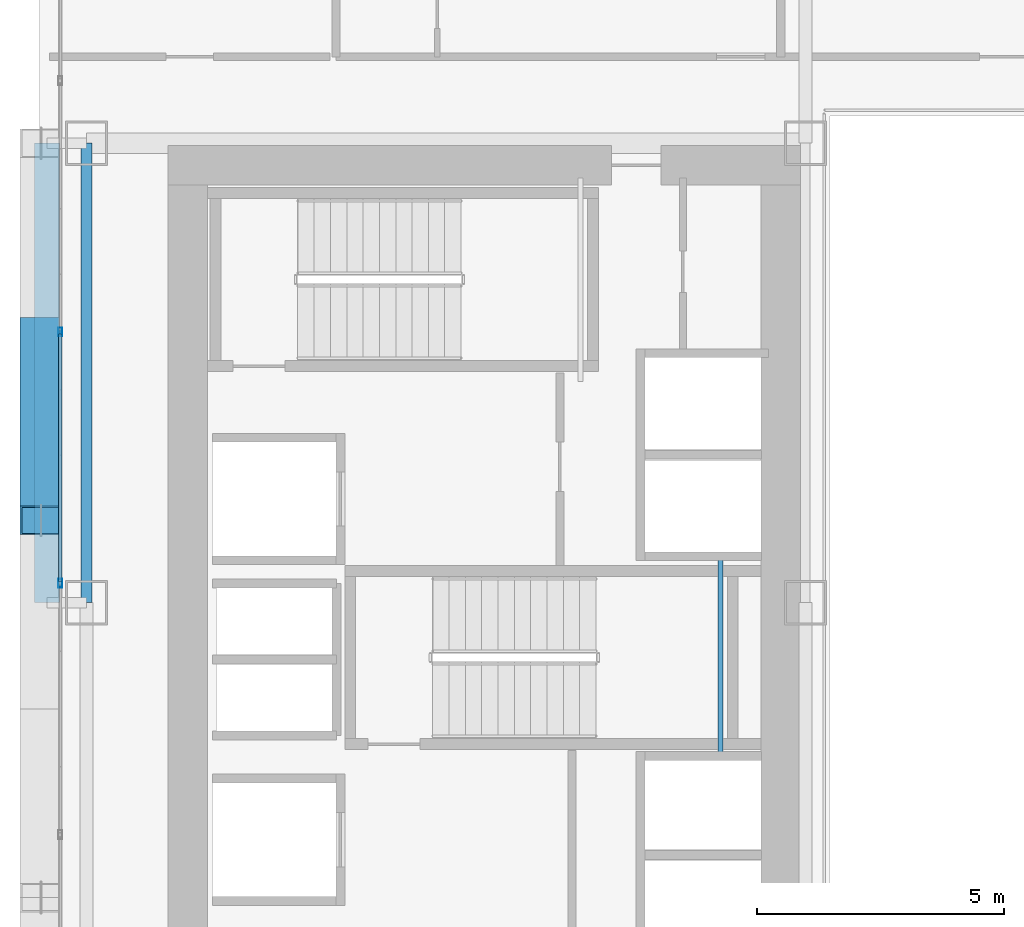
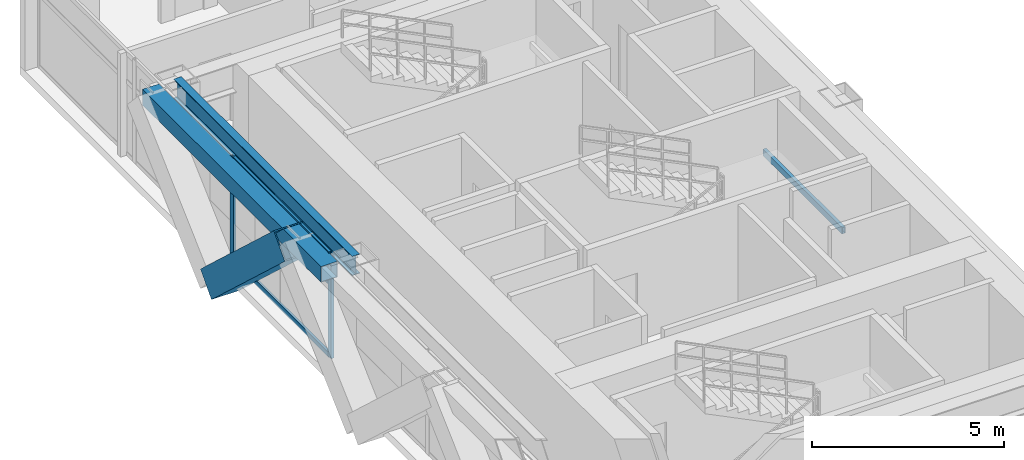
# One storey, part 8 of 35: 6 members, 3 beams, 1 element without a shape of its own.
"""IFC4 building model written with IfcOpenShell, lengths in metres."""

from ifc_helpers import new_model, si_unit, direction, frame, origin, origin_2d, place, context, subcontext, project, spatial, hollow_rectangle, i_section, extrude, source, transform, mapped, material, layer, layer_set, material_profile, profile_set, type_object, element, aggregate, save


model = new_model("IFC4")

# Units and contexts
model_context = context("Model", 3, precision=1e-05, world=origin(), true_north=direction((0.0, 1.0)))
body_context = subcontext(model_context, "Body", "Model", "MODEL_VIEW")
ifc_project = project(units=[si_unit("LENGTHUNIT", "METRE"), si_unit("AREAUNIT", "SQUARE_METRE"), si_unit("VOLUMEUNIT", "CUBIC_METRE"), si_unit("PLANEANGLEUNIT", "RADIAN"), si_unit("MASSUNIT", "GRAM", prefix="KILO")], contexts=[model_context])

# Site, building, storey
site_placement = place(None, origin())
site = spatial("IfcSite", under=ifc_project, at=site_placement, CompositionType="ELEMENT")
building_placement = place(site_placement, origin())
building = spatial("IfcBuilding", under=site, at=building_placement, Name="Ocotamira Hotel", CompositionType="ELEMENT")
storey_placement = place(building_placement, frame((0.0, 0.0, 81.60009765625)))
storey = spatial("IfcBuildingStorey", under=building, at=storey_placement, Name="L20", CompositionType="ELEMENT", Elevation=81.60009765625)

# Beams
ifc_material_1 = material(Name="Steel ASTM A500 Grade C", Category="steel")
ifc_material_profile_1 = material_profile(ifc_material_1, hollow_rectangle(XDim=0.10009765625, YDim=0.199951171875, WallThickness=0.008056640625, at=origin_2d()), Name="HSS200X100X8")
ifc_profile_set_1 = profile_set([ifc_material_profile_1], Name="Steel ASTM A500 Grade C")
beam_type_1 = type_object("IfcBeamType", Name="BM-STLDG-HSS200", PredefinedType="BEAM", material=ifc_profile_set_1)
shared_shape_1 = source(origin(), body_context, "Body", "SweptSolid", [
    extrude(hollow_rectangle(XDim=0.10009765625, YDim=0.199951171875, WallThickness=0.008056640625, at=origin_2d()), origin(), (0.0, 0.0, 1.0), 4.1201171875),
])
beam_1_placement = place(storey_placement, frame((21.780029296875, 24.97998046875, 1.5), z_axis=(0.0, 1.0, 0.0), x_axis=(-1.0, 0.0, 0.0)))
element("IfcBeam", 1, at=beam_1_placement, inside=storey, type_object=beam_type_1, Name="L20 Stair ST-3 Landing Bearer 1", PredefinedType="BEAM", context=body_context, shape_type="MappedRepresentation", body=[
    mapped(shared_shape_1, transform((0.0, 0.0, 0.0), scale=1.0)),
])
ifc_material_2 = material(Name="Steel ASTM A992 Grade 50", Category="steel")
ifc_material_profile_2 = material_profile(ifc_material_2, i_section(OverallWidth=0.22998046875, OverallDepth=0.616943359375, WebThickness=0.01318359375, FlangeThickness=0.022216796875, FilletRadius=0.012939453125, at=origin_2d()), Name="W24X94")
ifc_profile_set_2 = profile_set([ifc_material_profile_2], Name="Steel ASTM A992 Grade 50")
beam_type_2 = type_object("IfcBeamType", Name="BM-PRIM-W24X94", PredefinedType="BEAM", material=ifc_profile_set_2)
shared_shape_2 = source(origin(), body_context, "Body", "SweptSolid", [
    extrude(i_section(OverallWidth=0.22998046875, OverallDepth=0.616943359375, WebThickness=0.01318359375, FlangeThickness=0.022216796875, FilletRadius=0.012939453125, at=origin_2d()), origin(), (0.0, 0.0, 1.0), 9.300048828125),
])
beam_2_placement = place(storey_placement, frame((8.949951171875, 28.14990234375, 2.971435546875), z_axis=(0.0, 1.0, 0.0), x_axis=(-1.0, 0.0, 0.0)))
element("IfcBeam", 2, at=beam_2_placement, inside=storey, type_object=beam_type_2, Name="L20 Beam X8.95 Y28.15-37.45", PredefinedType="BEAM", context=body_context, shape_type="MappedRepresentation", body=[
    mapped(shared_shape_2, transform((0.0, 0.0, 0.0), scale=1.0)),
])
ifc_material_profile_3 = material_profile(ifc_material_1, hollow_rectangle(XDim=0.5, YDim=0.5, WallThickness=0.02001953125, at=origin_2d()), Name="HSS500X500X20")
ifc_profile_set_3 = profile_set([ifc_material_profile_3], Name="Steel ASTM A500 Grade C")
beam_type_3 = type_object("IfcBeamType", Name="BM-SPAN-HSS500", PredefinedType="USERDEFINED", material=ifc_profile_set_3)
shared_shape_3 = source(origin(), body_context, "Body", "SweptSolid", [
    extrude(hollow_rectangle(XDim=0.5, YDim=0.5, WallThickness=0.02001953125, at=origin_2d()), origin(), (0.0, 0.0, 1.0), 9.300048828125),
])
beam_3_placement = place(storey_placement, frame((8.14990234375, 28.14990234375, 3.02978515625), z_axis=(0.0, 1.0, 0.0), x_axis=(-1.0, 0.0, 0.0)))
element("IfcBeam", 3, at=beam_3_placement, inside=storey, type_object=beam_type_3, Name="L20 Edge Spandrel W Y28.15-37.45", ObjectType="SPANDREL", PredefinedType="USERDEFINED", context=body_context, shape_type="MappedRepresentation", body=[
    mapped(shared_shape_3, transform((0.0, 0.0, 0.0), scale=1.0)),
])

# Member
ifc_material_3 = material(Name="Pale-metal coated steel ASTM A913 Grade 65", Category="steel")
ifc_material_profile_4 = material_profile(ifc_material_3, hollow_rectangle(XDim=0.85009765625, YDim=0.85009765625, WallThickness=0.035888671875, at=origin_2d()), Name="BOX850X850X36")
ifc_profile_set_4 = profile_set([ifc_material_profile_4], Name="Pale-metal coated steel ASTM A913 Grade 65")
member_type_1 = type_object("IfcMemberType", Name="MEM-EXO-BOX850", PredefinedType="BRACE", material=ifc_profile_set_4)
shared_shape_4 = source(origin(), body_context, "Body", "SweptSolid", [
    extrude(hollow_rectangle(XDim=0.85009765625, YDim=0.85009765625, WallThickness=0.035888671875, at=origin_2d()), origin(), (0.0, 0.0, 1.0), 5.19873046875),
])
member_1_placement = place(storey_placement, frame((8.030029296875, 33.63330078125, -0.5), z_axis=(0.0, -0.734158546733, 0.67897807642), x_axis=(1.0, 0.0, 0.0)))
element("IfcMember", 4, at=member_1_placement, inside=storey, type_object=member_type_1, Name="L20 Exoskeleton Diagrid W2.1", PredefinedType="BRACE", context=body_context, shape_type="MappedRepresentation", body=[
    mapped(shared_shape_4, transform((0.0, 0.0, 0.0), scale=1.0)),
])

# Curtain wall, members
ifc_material_4 = material(Name="Anodised pale-metal aluminium and solar glass", Category="aluminium")
ifc_layer = layer(ifc_material_4, 0.179931640625)
ifc_layer_set = layer_set([ifc_layer], Name="Anodised pale-metal aluminium and solar glass")
curtain_wall_type = type_object("IfcCurtainWallType", Name="CW-SYS2-Z1", PredefinedType="NOTDEFINED", material=ifc_layer_set)
curtain_wall_placement = place(storey_placement, origin())
curtain_wall = element("IfcCurtainWall", 5, at=curtain_wall_placement, inside=storey, type_object=curtain_wall_type, Name="L20 Curtain Wall CW-2 CW-L20-W", PredefinedType="NOTDEFINED")
ifc_material_5 = material(Name="Anodised pale-metal aluminium 6063-T6", Category="aluminium")
ifc_material_profile_5 = material_profile(ifc_material_5, hollow_rectangle(XDim=0.074951171875, YDim=0.14990234375, WallThickness=0.006103515625, at=origin_2d()), Name="HSS150X75X6")
ifc_profile_set_5 = profile_set([ifc_material_profile_5], Name="Anodised pale-metal aluminium 6063-T6")
member_type_2 = type_object("IfcMemberType", Name="CWT-150X75", PredefinedType="USERDEFINED", material=ifc_profile_set_5)
shared_shape_5 = source(origin(), body_context, "Body", "SweptSolid", [
    extrude(hollow_rectangle(XDim=0.074951171875, YDim=0.14990234375, WallThickness=0.006103515625, at=origin_2d()), origin(), (0.0, 0.0, 1.0), 5.005859375),
])
member_2_placement = place(storey_placement, frame((8.419921875, 28.582763671875, 0.037353515625), z_axis=(0.0, 1.0, 0.0), x_axis=(-1.0, 0.0, 0.0)))
member_2 = element("IfcMember", 6, at=member_2_placement, type_object=member_type_2, Name="CW-2 transom 5.1", ObjectType="TRANSOM", PredefinedType="USERDEFINED", context=body_context, shape_type="MappedRepresentation", body=[
    mapped(shared_shape_5, transform((0.0, 0.0, 0.0), scale=1.0)),
])
member_3_placement = place(storey_placement, frame((8.419921875, 28.582763671875, 2.349853515625), z_axis=(0.0, 1.0, 0.0), x_axis=(-1.0, 0.0, 0.0)))
member_3 = element("IfcMember", 7, at=member_3_placement, type_object=member_type_2, Name="CW-2 transom 5.2", ObjectType="TRANSOM", PredefinedType="USERDEFINED", context=body_context, shape_type="MappedRepresentation", body=[
    mapped(shared_shape_5, transform((0.0, 0.0, 0.0), scale=1.0)),
])
member_4_placement = place(storey_placement, frame((8.419921875, 28.582763671875, 3.242431640625), z_axis=(0.0, 1.0, 0.0), x_axis=(-1.0, 0.0, 0.0)))
member_4 = element("IfcMember", 8, at=member_4_placement, type_object=member_type_2, Name="CW-2 transom 5.3", ObjectType="TRANSOM", PredefinedType="USERDEFINED", context=body_context, shape_type="MappedRepresentation", body=[
    mapped(shared_shape_5, transform((0.0, 0.0, 0.0), scale=1.0)),
])
ifc_material_profile_6 = material_profile(ifc_material_5, hollow_rectangle(XDim=0.080078125, YDim=0.179931640625, WallThickness=0.006103515625, at=origin_2d()), Name="HSS180X80X6")
ifc_profile_set_6 = profile_set([ifc_material_profile_6], Name="Anodised pale-metal aluminium 6063-T6")
member_type_3 = type_object("IfcMemberType", Name="CWM-180X75", PredefinedType="MULLION", material=ifc_profile_set_6)
shared_shape_6 = source(origin(), body_context, "Body", "SweptSolid", [
    extrude(hollow_rectangle(XDim=0.080078125, YDim=0.179931640625, WallThickness=0.006103515625, at=origin_2d()), origin(), (0.0, 0.0, 1.0), 3.27978515625),
])
member_5_placement = place(storey_placement, frame((8.419921875, 28.54296875, 0.0), z_axis=(0.0, 0.0, 1.0), x_axis=(-1.0, 0.0, 0.0)))
member_5 = element("IfcMember", 9, at=member_5_placement, type_object=member_type_3, Name="CW-2 mullion 5", PredefinedType="MULLION", context=body_context, shape_type="MappedRepresentation", body=[
    mapped(shared_shape_6, transform((0.0, 0.0, 0.0), scale=1.0)),
])
member_6_placement = place(storey_placement, frame((8.419921875, 33.628662109375, 0.0), z_axis=(0.0, 0.0, 1.0), x_axis=(-1.0, 0.0, 0.0)))
member_6 = element("IfcMember", 10, at=member_6_placement, type_object=member_type_3, Name="CW-2 mullion 6", PredefinedType="MULLION", context=body_context, shape_type="MappedRepresentation", body=[
    mapped(shared_shape_6, transform((0.0, 0.0, 0.0), scale=1.0)),
])
aggregate(curtain_wall, [member_5, member_6, member_2, member_3, member_4])

save(model, "model.ifc")
